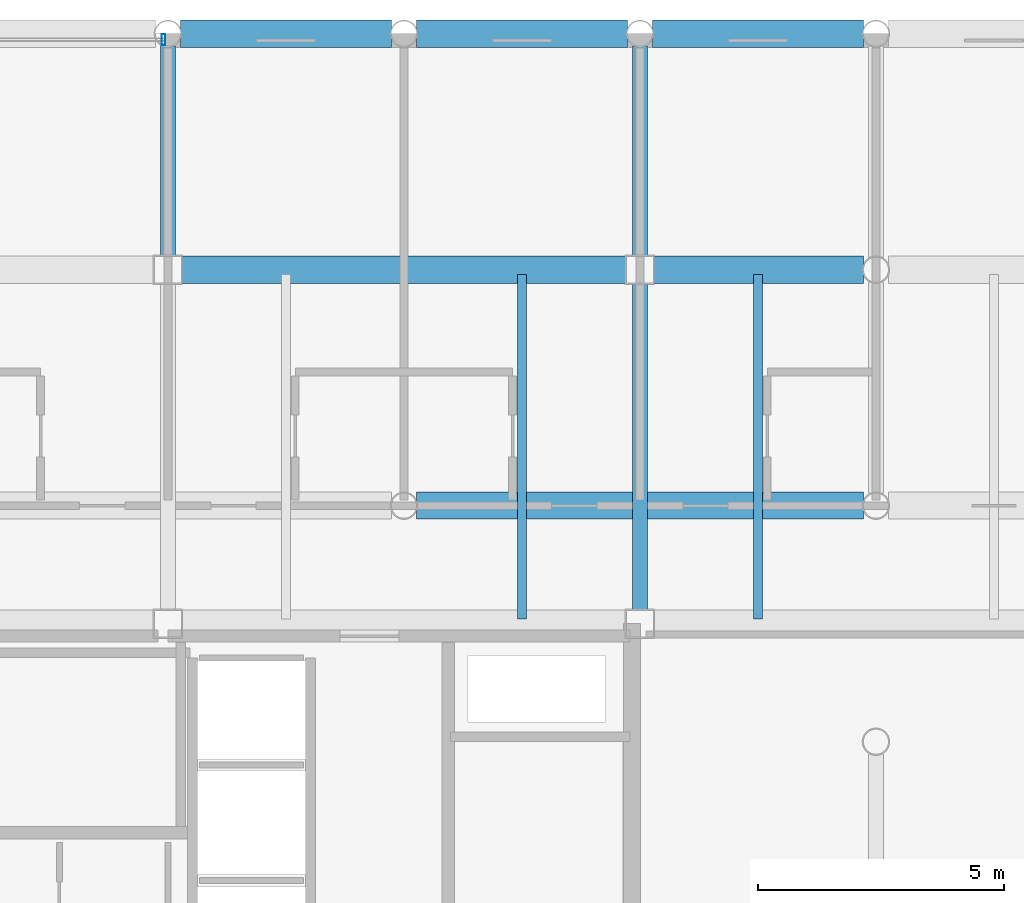
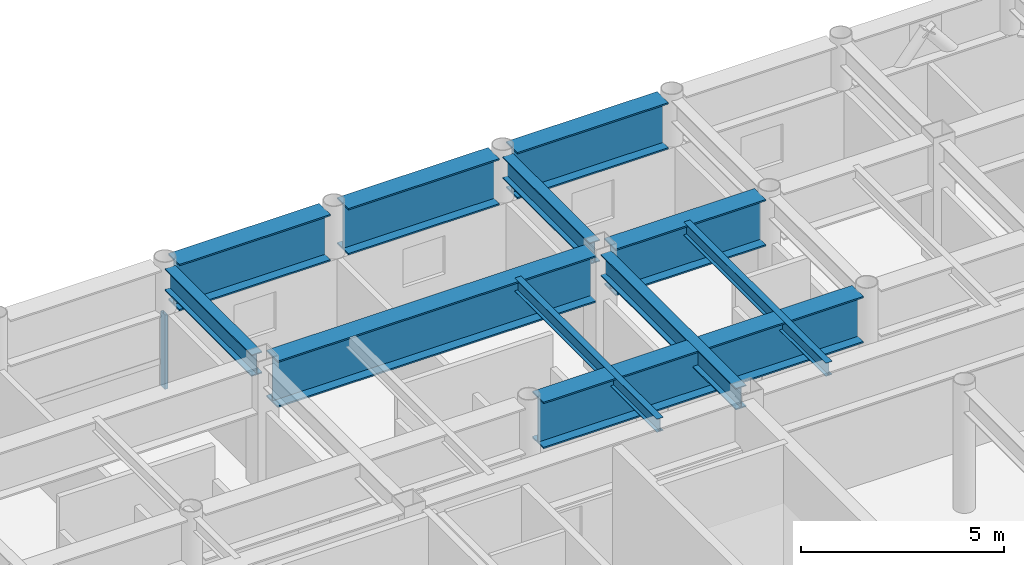
# One storey, part 14 of 22: 11 beams, 1 member, 1 element without a shape of its own.
"""IFC4 building model written with IfcOpenShell, lengths in metres."""

from ifc_helpers import new_model, si_unit, direction, frame, origin, origin_2d, place, context, subcontext, project, spatial, hollow_rectangle, i_section, extrude, material, layer, layer_set, material_profile, profile_set, type_object, element, aggregate, save


model = new_model("IFC4")

# Units and contexts
model_context = context("Model", 3, precision=1e-05, world=origin(), true_north=direction((0.0, 1.0)))
body_context = subcontext(model_context, "Body", "Model", "MODEL_VIEW")
ifc_project = project(units=[si_unit("LENGTHUNIT", "METRE"), si_unit("AREAUNIT", "SQUARE_METRE"), si_unit("VOLUMEUNIT", "CUBIC_METRE"), si_unit("PLANEANGLEUNIT", "RADIAN"), si_unit("MASSUNIT", "GRAM", prefix="KILO")], contexts=[model_context])

# Site, building, storey
site_placement = place(None, origin())
site = spatial("IfcSite", under=ifc_project, at=site_placement, CompositionType="ELEMENT")
building_placement = place(site_placement, origin())
building = spatial("IfcBuilding", under=site, at=building_placement, Name="Kallvorn Hotel Tower", CompositionType="ELEMENT")
storey_placement = place(building_placement, frame((0.0, 0.0, 191.5)))
storey = spatial("IfcBuildingStorey", under=building, at=storey_placement, Name="L47", CompositionType="ELEMENT", Elevation=191.5)

# Beams
ifc_material_1 = material(Name="Structural steel S355JR", Category="steel")
ifc_material_profile_1 = material_profile(ifc_material_1, i_section(OverallWidth=0.300048828125, OverallDepth=0.64990234375, WebThickness=0.01611328125, FlangeThickness=0.031005859375, at=origin_2d()), Name="HE 650 B")
ifc_profile_set_1 = profile_set([ifc_material_profile_1], Name="Structural steel S355JR")
beam_type_1 = type_object("IfcBeamType", Name="BM_HE650B", PredefinedType="BEAM", material=ifc_profile_set_1)
beam_1_placement = place(storey_placement, frame((4.800048828125, 14.675048828125, 3.344970703125), z_axis=(0.0, 1.0, 0.0), x_axis=(-1.0, 0.0, 0.0)))
element("IfcBeam", 1, at=beam_1_placement, inside=storey, type_object=beam_type_1, Name="L48 Primary Y-Girder 117", PredefinedType="BEAM", context=body_context, shape_type="SweptSolid", body=[
    extrude(i_section(OverallWidth=0.300048828125, OverallDepth=0.64990234375, WebThickness=0.01611328125, FlangeThickness=0.031005859375, at=origin_2d()), origin(), (0.0, 0.0, 1.0), 4.2705078125),
])
beam_2_placement = place(storey_placement, frame((14.39990234375, 7.47509765625, 3.344970703125), z_axis=(0.0, 1.0, 0.0), x_axis=(-1.0, 0.0, 0.0)))
element("IfcBeam", 2, at=beam_2_placement, inside=storey, type_object=beam_type_1, Name="L48 Primary Y-Girder 124", PredefinedType="BEAM", context=body_context, shape_type="SweptSolid", body=[
    extrude(i_section(OverallWidth=0.300048828125, OverallDepth=0.64990234375, WebThickness=0.01611328125, FlangeThickness=0.031005859375, at=origin_2d()), origin(), (0.0, 0.0, 1.0), 6.64990234375),
])
beam_3_placement = place(storey_placement, frame((14.39990234375, 14.675048828125, 3.344970703125), z_axis=(0.0, 1.0, 0.0), x_axis=(-1.0, 0.0, 0.0)))
element("IfcBeam", 3, at=beam_3_placement, inside=storey, type_object=beam_type_1, Name="L48 Primary Y-Girder 125", PredefinedType="BEAM", context=body_context, shape_type="SweptSolid", body=[
    extrude(i_section(OverallWidth=0.300048828125, OverallDepth=0.64990234375, WebThickness=0.01611328125, FlangeThickness=0.031005859375, at=origin_2d()), origin(), (0.0, 0.0, 1.0), 4.2705078125),
])
ifc_material_2 = material(Name="Structural steel S355JR", Category="steel")
ifc_material_profile_2 = material_profile(ifc_material_2, i_section(OverallWidth=0.179931640625, OverallDepth=0.39990234375, WebThickness=0.008544921875, FlangeThickness=0.013427734375, at=origin_2d()), Name="IPE 400")
ifc_profile_set_2 = profile_set([ifc_material_profile_2], Name="Structural steel S355JR")
beam_type_2 = type_object("IfcBeamType", Name="BM_IPE400", PredefinedType="JOIST", material=ifc_profile_set_2)
for number, where, z_axis, x_axis, name in (
    (4, (12.0, 7.300048828125, 3.469970703125), (0.0, 1.0, 0.0), (-1.0, 0.0, 0.0), "L48 Secondary Composite Joist 205"),
    (5, (16.800048828125, 7.300048828125, 3.469970703125), (0.0, 1.0, 0.0), (-1.0, 0.0, 0.0), "L48 Secondary Composite Joist 207"),
):
    element("IfcBeam", number, at=place(storey_placement, frame(where, z_axis=z_axis, x_axis=x_axis)), inside=storey, type_object=beam_type_2, Name=name, PredefinedType="JOIST", context=body_context, shape_type="SweptSolid", body=[
        extrude(i_section(OverallWidth=0.179931640625, OverallDepth=0.39990234375, WebThickness=0.008544921875, FlangeThickness=0.013427734375, at=origin_2d()), origin(), (0.0, 0.0, 1.0), 7.0),
    ])
ifc_material_3 = material(Name="Structural steel S355JR", Category="steel")
ifc_material_profile_3 = material_profile(ifc_material_3, i_section(OverallWidth=0.550048828125, OverallDepth=1.39990234375, WebThickness=0.02490234375, FlangeThickness=0.044921875, at=origin_2d()), Name="PG 1400x550x25x45")
ifc_profile_set_3 = profile_set([ifc_material_profile_3], Name="Structural steel S355JR")
beam_type_3 = type_object("IfcBeamType", Name="BM_PG_1400", PredefinedType="BEAM", material=ifc_profile_set_3)
beam_4_placement = place(storey_placement, frame((9.8544921875, 9.60009765625, 2.969970703125), z_axis=(1.0, 0.0, 0.0), x_axis=(0.0, 1.0, 0.0)))
element("IfcBeam", 6, at=beam_4_placement, inside=storey, type_object=beam_type_3, Name="L48 Primary X-Girder 47", PredefinedType="BEAM", context=body_context, shape_type="SweptSolid", body=[
    extrude(i_section(OverallWidth=0.550048828125, OverallDepth=1.39990234375, WebThickness=0.02490234375, FlangeThickness=0.044921875, at=origin_2d()), origin(), (0.0, 0.0, 1.0), 9.091064453125),
])
beam_5_placement = place(storey_placement, frame((5.074951171875, 14.39990234375, 2.969970703125), z_axis=(1.0, 0.0, 0.0), x_axis=(0.0, 1.0, 0.0)))
element("IfcBeam", 7, at=beam_5_placement, inside=storey, type_object=beam_type_3, Name="L48 Primary X-Girder 56", PredefinedType="BEAM", context=body_context, shape_type="SweptSolid", body=[
    extrude(i_section(OverallWidth=0.550048828125, OverallDepth=1.39990234375, WebThickness=0.02490234375, FlangeThickness=0.044921875, at=origin_2d()), origin(), (0.0, 0.0, 1.0), 9.050048828125),
])
beam_6_placement = place(storey_placement, frame((14.675048828125, 14.39990234375, 2.969970703125), z_axis=(1.0, 0.0, 0.0), x_axis=(0.0, 1.0, 0.0)))
element("IfcBeam", 8, at=beam_6_placement, inside=storey, type_object=beam_type_3, Name="L48 Primary X-Girder 57", PredefinedType="BEAM", context=body_context, shape_type="SweptSolid", body=[
    extrude(i_section(OverallWidth=0.550048828125, OverallDepth=1.39990234375, WebThickness=0.02490234375, FlangeThickness=0.044921875, at=origin_2d()), origin(), (0.0, 0.0, 1.0), 4.2705078125),
])
for number, where, z_axis, x_axis, name in (
    (9, (5.054443359375, 19.199951171875, 2.969970703125), (1.0, 0.0, 0.0), (0.0, 1.0, 0.0), "L48 Primary X-Girder 68"),
    (10, (9.8544921875, 19.199951171875, 2.969970703125), (1.0, 0.0, 0.0), (0.0, 1.0, 0.0), "L48 Primary X-Girder 69"),
    (11, (14.654541015625, 19.199951171875, 2.969970703125), (1.0, 0.0, 0.0), (0.0, 1.0, 0.0), "L48 Primary X-Girder 70"),
):
    element("IfcBeam", number, at=place(storey_placement, frame(where, z_axis=z_axis, x_axis=x_axis)), inside=storey, type_object=beam_type_3, Name=name, PredefinedType="BEAM", context=body_context, shape_type="SweptSolid", body=[
        extrude(i_section(OverallWidth=0.550048828125, OverallDepth=1.39990234375, WebThickness=0.02490234375, FlangeThickness=0.044921875, at=origin_2d()), origin(), (0.0, 0.0, 1.0), 4.291015625),
    ])

# Curtain wall, member
ifc_material_4 = material(Name="Thermally broken black-anodised aluminium AA 6063-T6", Category="aluminium")
ifc_layer = layer(ifc_material_4, 0.22998046875)
ifc_layer_set = layer_set([ifc_layer], Name="CW_SYS_5_HOTEL_HIGH")
curtain_wall_type = type_object("IfcCurtainWallType", Name="CW_SYS_5_HOTEL_HIGH", PredefinedType="USERDEFINED", material=ifc_layer_set)
curtain_wall_placement = place(storey_placement, origin())
curtain_wall = element("IfcCurtainWall", 12, at=curtain_wall_placement, inside=storey, type_object=curtain_wall_type, Name="L47 Dark-Glass Curtain Wall CW-L47-NC", ObjectType="UNITISED CURTAIN WALL", PredefinedType="USERDEFINED")
ifc_material_5 = material(Name="Thermally broken black-anodised aluminium AA 6063-T6", Category="aluminium")
ifc_material_profile_4 = material_profile(ifc_material_5, hollow_rectangle(XDim=0.080078125, YDim=0.219970703125, WallThickness=0.0048828125, at=origin_2d()), Name="MUL 220x80")
ifc_profile_set_4 = profile_set([ifc_material_profile_4], Name="Thermally broken black-anodised aluminium AA 6063-T6")
member_type = type_object("IfcMemberType", Name="CW_MULLION_220x80", PredefinedType="MULLION", material=ifc_profile_set_4)
member_placement = place(storey_placement, frame((4.7099609375, 19.080078125, 0.02001953125), z_axis=(0.0, 0.0, 1.0), x_axis=(1.0, 0.0, 0.0)))
member = element("IfcMember", 13, at=member_placement, type_object=member_type, Name="CW-L47-NC Mullion 02", PredefinedType="MULLION", context=body_context, shape_type="SweptSolid", body=[
    extrude(hollow_rectangle(XDim=0.080078125, YDim=0.219970703125, WallThickness=0.0048828125, at=origin_2d()), origin(), (0.0, 0.0, 1.0), 2.22998046875),
])
aggregate(curtain_wall, [member])

save(model, "model.ifc")
